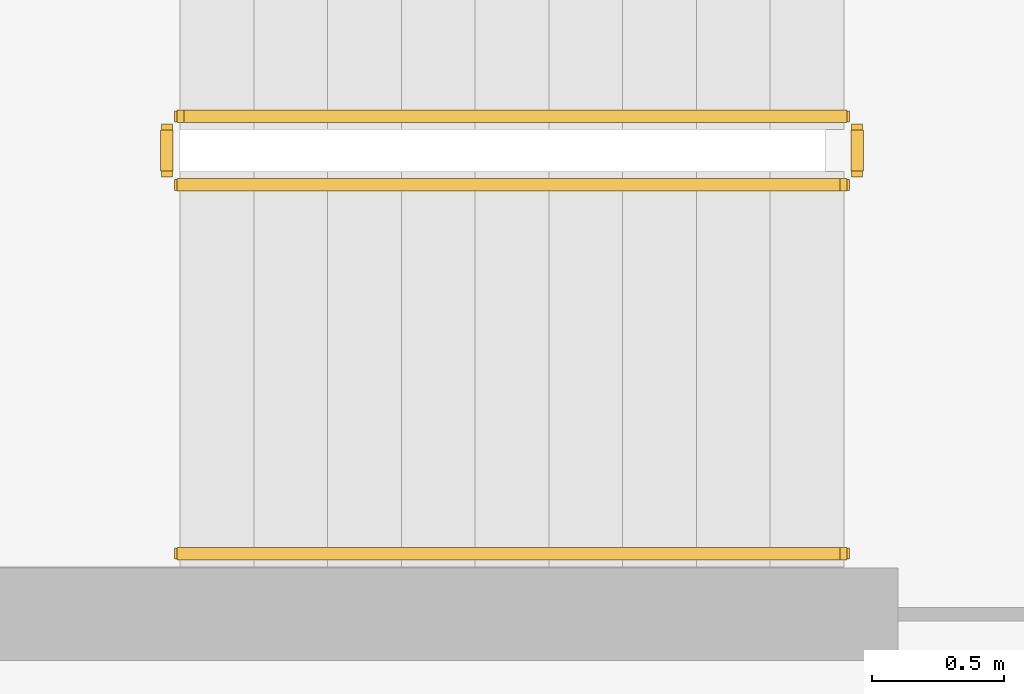
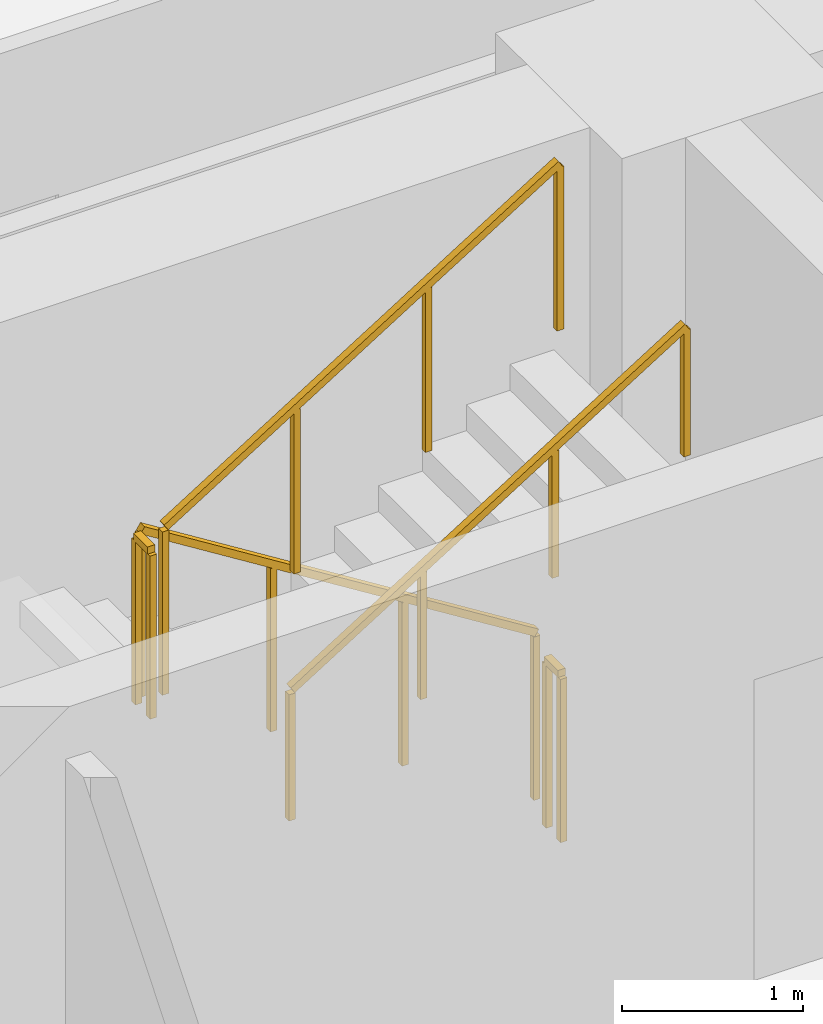
# One storey, part 12 of 15: 5 railings.
"""IFC4 building model written with IfcOpenShell, lengths in metres."""

from ifc_helpers import new_model, si_unit, direction, frame, origin, origin_2d, place, context, subcontext, project, spatial, rectangle, extrude, material, type_object, element, save


model = new_model("IFC4")

# Units and contexts
model_context = context("Model", 3, precision=1e-05, world=origin(), true_north=direction((0.0, 1.0)))
body_context = subcontext(model_context, "Body", "Model", "MODEL_VIEW")
ifc_project = project(units=[si_unit("LENGTHUNIT", "METRE"), si_unit("AREAUNIT", "SQUARE_METRE"), si_unit("VOLUMEUNIT", "CUBIC_METRE"), si_unit("PLANEANGLEUNIT", "RADIAN"), si_unit("MASSUNIT", "GRAM", prefix="KILO")], contexts=[model_context])

# Site, building, storey
site_placement = place(None, origin())
site = spatial("IfcSite", under=ifc_project, at=site_placement, CompositionType="ELEMENT")
building_placement = place(site_placement, origin())
building = spatial("IfcBuilding", under=site, at=building_placement, Name="Zarnavel Station Tower", CompositionType="ELEMENT")
storey_placement = place(building_placement, frame((0.0, 0.0, 71.0)))
storey = spatial("IfcBuildingStorey", under=building, at=storey_placement, Name="L19", CompositionType="ELEMENT", Elevation=71.0)

# Railings
ifc_material_1 = material(Name="Painted Steel S355J2 Balustrade", Category="steel")
railing_type_1 = type_object("IfcRailingType", Name="GR_INT_1150", PredefinedType="GUARDRAIL", material=ifc_material_1)
railing_1_placement = place(storey_placement, frame((19.47998046875, 35.3701171875, 0.175048828125)))
element("IfcRailing", 1, at=railing_1_placement, inside=storey, type_object=railing_type_1, Name="L19 ST1 stair guard 1", PredefinedType="GUARDRAIL", context=body_context, shape_type="SweptSolid", body=[
    extrude(rectangle(XDim=0.048095703125, YDim=0.048095703125, at=origin_2d()), frame((-0.001708984375, 0.0, 1.126953125), z_axis=(-0.848007534815, 0.0, 0.529984170421), x_axis=(0.0, -1.0, 0.0)), (0.0, 0.0, 1.0), 2.9677734375),
    extrude(rectangle(XDim=0.0419921875, YDim=0.0419921875, at=origin_2d()), origin(), (0.0, 0.0, 1.0), 1.101806640625),
    extrude(rectangle(XDim=0.0419921875, YDim=0.0419921875, at=origin_2d()), frame((-0.840087890625, 0.0, 0.52490234375)), (0.0, 0.0, 1.0), 1.101806640625),
    extrude(rectangle(XDim=0.0419921875, YDim=0.0419921875, at=origin_2d()), frame((-1.679931640625, 0.0, 1.050048828125)), (0.0, 0.0, 1.0), 1.101806640625),
    extrude(rectangle(XDim=0.0419921875, YDim=0.0419921875, at=origin_2d()), frame((-2.52001953125, 0.0, 1.574951171875)), (0.0, 0.0, 1.0), 1.101806640625),
])
railing_2_placement = place(storey_placement, frame((16.909912109375, 35.320068359375, 1.75)))
element("IfcRailing", 2, at=railing_2_placement, inside=storey, type_object=railing_type_1, Name="L19 ST1 stair guard 2", PredefinedType="GUARDRAIL", context=body_context, shape_type="SweptSolid", body=[
    extrude(rectangle(XDim=0.048095703125, YDim=0.048095703125, at=origin_2d()), frame((0.0, -0.001953125, 1.1259765625), z_axis=(0.0, -1.0, 0.0), x_axis=(1.0, 0.0, 0.0)), (0.0, 0.0, 1.0), 0.15625),
    extrude(rectangle(XDim=0.0419921875, YDim=0.0419921875, at=origin_2d()), origin(), (0.0, 0.0, 1.0), 1.101806640625),
    extrude(rectangle(XDim=0.0419921875, YDim=0.0419921875, at=origin_2d()), frame((0.0, -0.16015625, 0.0)), (0.0, 0.0, 1.0), 1.101806640625),
])
railing_3_placement = place(storey_placement, frame((16.9599609375, 35.110107421875, 1.925048828125)))
element("IfcRailing", 3, at=railing_3_placement, inside=storey, type_object=railing_type_1, Name="L19 ST1 stair guard 3", PredefinedType="GUARDRAIL", context=body_context, shape_type="SweptSolid", body=[
    extrude(rectangle(XDim=0.048095703125, YDim=0.048095703125, at=origin_2d()), frame((0.001708984375, 0.0, 1.126953125), z_axis=(0.848007534815, 0.0, 0.529984170421), x_axis=(0.0, 1.0, 0.0)), (0.0, 0.0, 1.0), 2.9677734375),
    extrude(rectangle(XDim=0.0419921875, YDim=0.0419921875, at=origin_2d()), origin(), (0.0, 0.0, 1.0), 1.101806640625),
    extrude(rectangle(XDim=0.0419921875, YDim=0.0419921875, at=origin_2d()), frame((0.840087890625, 0.0, 0.52490234375)), (0.0, 0.0, 1.0), 1.101806640625),
    extrude(rectangle(XDim=0.0419921875, YDim=0.0419921875, at=origin_2d()), frame((1.679931640625, 0.0, 1.050048828125)), (0.0, 0.0, 1.0), 1.101806640625),
    extrude(rectangle(XDim=0.0419921875, YDim=0.0419921875, at=origin_2d()), frame((2.52001953125, 0.0, 1.574951171875)), (0.0, 0.0, 1.0), 1.101806640625),
])
railing_4_placement = place(storey_placement, frame((19.530029296875, 35.320068359375, 0.0)))
element("IfcRailing", 4, at=railing_4_placement, inside=storey, type_object=railing_type_1, Name="L19 ST1 stair guard 4", PredefinedType="GUARDRAIL", context=body_context, shape_type="SweptSolid", body=[
    extrude(rectangle(XDim=0.048095703125, YDim=0.048095703125, at=origin_2d()), frame((0.0, -0.001953125, 1.1259765625), z_axis=(0.0, -1.0, 0.0), x_axis=(1.0, 0.0, 0.0)), (0.0, 0.0, 1.0), 0.15625),
    extrude(rectangle(XDim=0.0419921875, YDim=0.0419921875, at=origin_2d()), origin(), (0.0, 0.0, 1.0), 1.101806640625),
    extrude(rectangle(XDim=0.0419921875, YDim=0.0419921875, at=origin_2d()), frame((0.0, -0.16015625, 0.0)), (0.0, 0.0, 1.0), 1.101806640625),
])
ifc_material_2 = material(Name="Brushed Stainless Steel S355J2 Handrail", Category="steel")
railing_type_2 = type_object("IfcRailingType", Name="HR_STAIR_900", PredefinedType="HANDRAIL", material=ifc_material_2)
railing_5_placement = place(storey_placement, frame((16.9599609375, 33.7099609375, 1.925048828125)))
element("IfcRailing", 5, at=railing_5_placement, inside=storey, type_object=railing_type_2, Name="L19 ST1 stair handrail 2", PredefinedType="HANDRAIL", context=body_context, shape_type="SweptSolid", body=[
    extrude(rectangle(XDim=0.048095703125, YDim=0.048095703125, at=origin_2d()), frame((0.001708984375, 0.0, 0.876953125), z_axis=(0.848007534815, 0.0, 0.529984170421), x_axis=(0.0, 1.0, 0.0)), (0.0, 0.0, 1.0), 2.9677734375),
    extrude(rectangle(XDim=0.0419921875, YDim=0.0419921875, at=origin_2d()), origin(), (0.0, 0.0, 1.0), 0.851806640625),
    extrude(rectangle(XDim=0.0419921875, YDim=0.0419921875, at=origin_2d()), frame((0.840087890625, 0.0, 0.52490234375)), (0.0, 0.0, 1.0), 0.851806640625),
    extrude(rectangle(XDim=0.0419921875, YDim=0.0419921875, at=origin_2d()), frame((1.679931640625, 0.0, 1.050048828125)), (0.0, 0.0, 1.0), 0.851806640625),
    extrude(rectangle(XDim=0.0419921875, YDim=0.0419921875, at=origin_2d()), frame((2.52001953125, 0.0, 1.574951171875)), (0.0, 0.0, 1.0), 0.851806640625),
])

save(model, "model.ifc")
